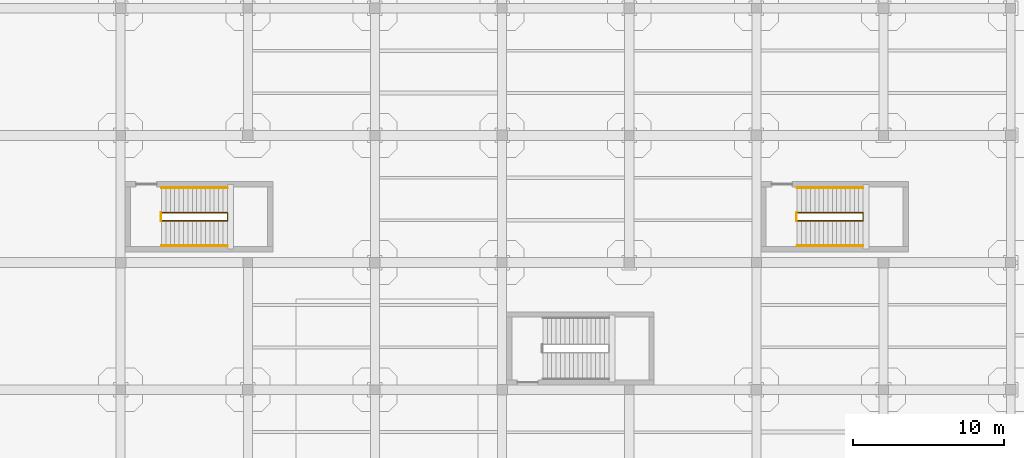
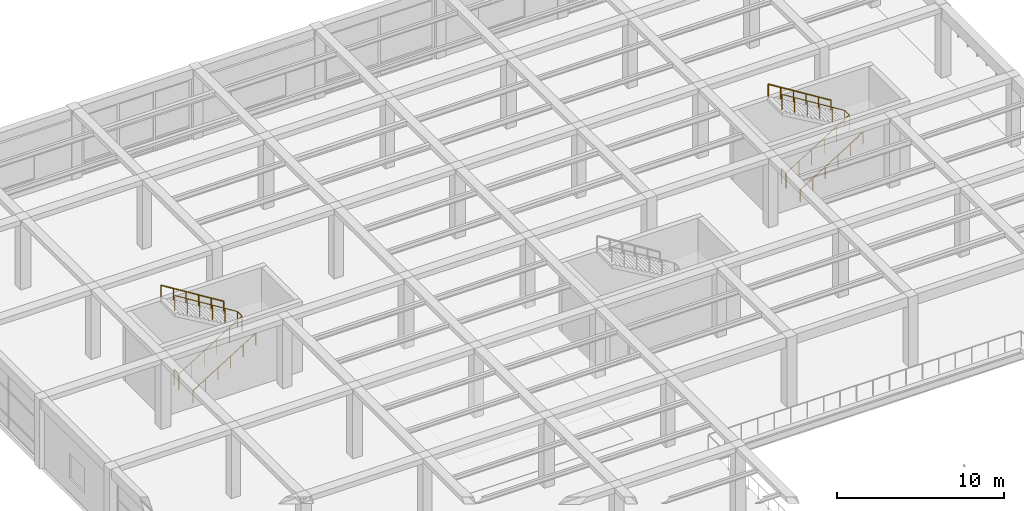
# One storey, part 89 of 95: 8 railings.
"""IFC4 building model written with IfcOpenShell, lengths in metres."""

from ifc_helpers import new_model, si_unit, direction, frame, origin, origin_2d, place, context, subcontext, project, spatial, circle, extrude, material, type_object, element, save


model = new_model("IFC4")

# Units and contexts
model_context = context("Model", 3, precision=1e-05, world=origin(), true_north=direction((0.0, 1.0)))
body_context = subcontext(model_context, "Body", "Model", "MODEL_VIEW")
ifc_project = project(units=[si_unit("LENGTHUNIT", "METRE"), si_unit("AREAUNIT", "SQUARE_METRE"), si_unit("VOLUMEUNIT", "CUBIC_METRE"), si_unit("PLANEANGLEUNIT", "RADIAN"), si_unit("MASSUNIT", "GRAM", prefix="KILO")], contexts=[model_context])

# Site, building, storey
site_placement = place(None, origin())
site = spatial("IfcSite", under=ifc_project, at=site_placement, CompositionType="ELEMENT")
building_placement = place(site_placement, origin())
building = spatial("IfcBuilding", under=site, at=building_placement, Name="Almacenes y Pasaje Nevantli", CompositionType="ELEMENT")
storey_placement = place(building_placement, frame((0.0, 0.0, 11.39990234375)))
storey = spatial("IfcBuildingStorey", under=building, at=storey_placement, Name="L03", CompositionType="ELEMENT", Elevation=11.39990234375)

# Railings
ifc_material_1 = material(Name="Brushed Stainless Steel and Tempered Safety Glass", Category="steel")
railing_type_1 = type_object("IfcRailingType", Name="RL-GUARD-1100", PredefinedType="BALUSTRADE", material=ifc_material_1)
railing_1_placement = place(storey_placement, frame((11.10009765625, 95.159912109375, 0.0)))
element("IfcRailing", 1, at=railing_1_placement, inside=storey, type_object=railing_type_1, Name="L03 Stair ST-03 Inner Well Guard Balustrade", PredefinedType="BALUSTRADE", context=body_context, shape_type="SweptSolid", body=[
    extrude(circle(Radius=0.02392578125, at=origin_2d()), frame((0.025390625, 0.0, 1.1416015625), z_axis=(0.849615114927, 0.0, 0.52740322002), x_axis=(0.0, 1.0, 0.0)), (0.0, 0.0, 1.0), 5.059814453125),
    extrude(circle(Radius=0.02392578125, at=origin_2d()), frame((4.349853515625, 0.030029296875, 3.826171875), z_axis=(0.0, 1.0, 0.0), x_axis=(-1.0, 0.0, 0.0)), (0.0, 0.0, 1.0), 0.469970703125),
    extrude(circle(Radius=0.02392578125, at=origin_2d()), frame((4.324462890625, 0.530029296875, 3.841796875), z_axis=(-0.849636482215, 0.0, 0.527368797038), x_axis=(0.0, -1.0, 0.0)), (0.0, 0.0, 1.0), 5.0595703125),
    extrude(circle(Radius=0.02099609375, at=origin_2d()), origin(), (0.0, 0.0, 1.0), 1.096923828125),
    extrude(circle(Radius=0.02099609375, at=origin_2d()), frame((0.869873046875, 0.0, 0.5400390625)), (0.0, 0.0, 1.0), 1.096923828125),
    extrude(circle(Radius=0.02099609375, at=origin_2d()), frame((1.739990234375, 0.0, 1.080078125)), (0.0, 0.0, 1.0), 1.096923828125),
    extrude(circle(Radius=0.02099609375, at=origin_2d()), frame((2.60986328125, 0.0, 1.6201171875)), (0.0, 0.0, 1.0), 1.096923828125),
    extrude(circle(Radius=0.02099609375, at=origin_2d()), frame((3.47998046875, 0.0, 2.16015625)), (0.0, 0.0, 1.0), 1.096923828125),
    extrude(circle(Radius=0.02099609375, at=origin_2d()), frame((4.349853515625, 0.0, 2.7001953125)), (0.0, 0.0, 1.0), 1.096923828125),
    extrude(circle(Radius=0.02099609375, at=origin_2d()), frame((4.349853515625, 0.530029296875, 2.7001953125)), (0.0, 0.0, 1.0), 1.096923828125),
    extrude(circle(Radius=0.02099609375, at=origin_2d()), frame((3.47998046875, 0.530029296875, 3.240234375)), (0.0, 0.0, 1.0), 1.096923828125),
    extrude(circle(Radius=0.02099609375, at=origin_2d()), frame((2.60986328125, 0.530029296875, 3.7802734375)), (0.0, 0.0, 1.0), 1.096923828125),
    extrude(circle(Radius=0.02099609375, at=origin_2d()), frame((1.739990234375, 0.530029296875, 4.320068359375)), (0.0, 0.0, 1.0), 1.096923828125),
    extrude(circle(Radius=0.02099609375, at=origin_2d()), frame((0.869873046875, 0.530029296875, 4.860107421875)), (0.0, 0.0, 1.0), 1.096923828125),
    extrude(circle(Radius=0.02099609375, at=origin_2d()), frame((0.0, 0.530029296875, 5.400146484375)), (0.0, 0.0, 1.0), 1.096923828125),
])
railing_2_placement = place(storey_placement, frame((11.06005859375, 95.159912109375, 0.0)))
element("IfcRailing", 2, at=railing_2_placement, inside=storey, type_object=railing_type_1, Name="L03 Stair ST-03 Landing Well Slot Guard", PredefinedType="BALUSTRADE", context=body_context, shape_type="SweptSolid", body=[
    extrude(circle(Radius=0.02392578125, at=origin_2d()), frame((0.0, 0.030029296875, 1.1259765625), z_axis=(0.0, 1.0, 0.0), x_axis=(-1.0, 0.0, 0.0)), (0.0, 0.0, 1.0), 0.469970703125),
    extrude(circle(Radius=0.02099609375, at=origin_2d()), origin(), (0.0, 0.0, 1.0), 1.096923828125),
    extrude(circle(Radius=0.02099609375, at=origin_2d()), frame((0.0, 0.530029296875, 0.0)), (0.0, 0.0, 1.0), 1.096923828125),
])
railing_3_placement = place(storey_placement, frame((53.10009765625, 95.159912109375, 0.0)))
element("IfcRailing", 3, at=railing_3_placement, inside=storey, type_object=railing_type_1, Name="L03 Stair ST-05 Inner Well Guard Balustrade", PredefinedType="BALUSTRADE", context=body_context, shape_type="SweptSolid", body=[
    extrude(circle(Radius=0.02392578125, at=origin_2d()), frame((0.025390625, 0.0, 1.1416015625), z_axis=(0.849615114927, 0.0, 0.52740322002), x_axis=(0.0, 1.0, 0.0)), (0.0, 0.0, 1.0), 5.059814453125),
    extrude(circle(Radius=0.02392578125, at=origin_2d()), frame((4.349853515625, 0.030029296875, 3.826171875), z_axis=(0.0, 1.0, 0.0), x_axis=(-1.0, 0.0, 0.0)), (0.0, 0.0, 1.0), 0.469970703125),
    extrude(circle(Radius=0.02392578125, at=origin_2d()), frame((4.324462890625, 0.530029296875, 3.841796875), z_axis=(-0.849636482215, 0.0, 0.527368797038), x_axis=(0.0, -1.0, 0.0)), (0.0, 0.0, 1.0), 5.0595703125),
    extrude(circle(Radius=0.02099609375, at=origin_2d()), origin(), (0.0, 0.0, 1.0), 1.096923828125),
    extrude(circle(Radius=0.02099609375, at=origin_2d()), frame((0.869873046875, 0.0, 0.5400390625)), (0.0, 0.0, 1.0), 1.096923828125),
    extrude(circle(Radius=0.02099609375, at=origin_2d()), frame((1.739990234375, 0.0, 1.080078125)), (0.0, 0.0, 1.0), 1.096923828125),
    extrude(circle(Radius=0.02099609375, at=origin_2d()), frame((2.60986328125, 0.0, 1.6201171875)), (0.0, 0.0, 1.0), 1.096923828125),
    extrude(circle(Radius=0.02099609375, at=origin_2d()), frame((3.47998046875, 0.0, 2.16015625)), (0.0, 0.0, 1.0), 1.096923828125),
    extrude(circle(Radius=0.02099609375, at=origin_2d()), frame((4.349853515625, 0.0, 2.7001953125)), (0.0, 0.0, 1.0), 1.096923828125),
    extrude(circle(Radius=0.02099609375, at=origin_2d()), frame((4.349853515625, 0.530029296875, 2.7001953125)), (0.0, 0.0, 1.0), 1.096923828125),
    extrude(circle(Radius=0.02099609375, at=origin_2d()), frame((3.47998046875, 0.530029296875, 3.240234375)), (0.0, 0.0, 1.0), 1.096923828125),
    extrude(circle(Radius=0.02099609375, at=origin_2d()), frame((2.60986328125, 0.530029296875, 3.7802734375)), (0.0, 0.0, 1.0), 1.096923828125),
    extrude(circle(Radius=0.02099609375, at=origin_2d()), frame((1.739990234375, 0.530029296875, 4.320068359375)), (0.0, 0.0, 1.0), 1.096923828125),
    extrude(circle(Radius=0.02099609375, at=origin_2d()), frame((0.869873046875, 0.530029296875, 4.860107421875)), (0.0, 0.0, 1.0), 1.096923828125),
    extrude(circle(Radius=0.02099609375, at=origin_2d()), frame((0.0, 0.530029296875, 5.400146484375)), (0.0, 0.0, 1.0), 1.096923828125),
])
railing_4_placement = place(storey_placement, frame((53.06005859375, 95.159912109375, 0.0)))
element("IfcRailing", 4, at=railing_4_placement, inside=storey, type_object=railing_type_1, Name="L03 Stair ST-05 Landing Well Slot Guard", PredefinedType="BALUSTRADE", context=body_context, shape_type="SweptSolid", body=[
    extrude(circle(Radius=0.02392578125, at=origin_2d()), frame((0.0, 0.030029296875, 1.1259765625), z_axis=(0.0, 1.0, 0.0), x_axis=(-1.0, 0.0, 0.0)), (0.0, 0.0, 1.0), 0.469970703125),
    extrude(circle(Radius=0.02099609375, at=origin_2d()), origin(), (0.0, 0.0, 1.0), 1.096923828125),
    extrude(circle(Radius=0.02099609375, at=origin_2d()), frame((0.0, 0.530029296875, 0.0)), (0.0, 0.0, 1.0), 1.096923828125),
])
ifc_material_2 = material(Name="Brushed Stainless Steel Tube", Category="steel")
railing_type_2 = type_object("IfcRailingType", Name="RL-HANDRAIL-900", PredefinedType="HANDRAIL", material=ifc_material_2)
railing_5_placement = place(storey_placement, frame((11.10009765625, 93.510009765625, 0.0)))
element("IfcRailing", 5, at=railing_5_placement, inside=storey, type_object=railing_type_2, Name="L03 Stair ST-03 Lower Flight Handrail", PredefinedType="HANDRAIL", context=body_context, shape_type="SweptSolid", body=[
    extrude(circle(Radius=0.02392578125, at=origin_2d()), frame((0.025390625, 0.0, 0.8916015625), z_axis=(0.849615114927, 0.0, 0.52740322002), x_axis=(0.0, 1.0, 0.0)), (0.0, 0.0, 1.0), 5.059814453125),
    extrude(circle(Radius=0.02099609375, at=origin_2d()), origin(), (0.0, 0.0, 1.0), 0.846923828125),
    extrude(circle(Radius=0.02099609375, at=origin_2d()), frame((0.869873046875, 0.0, 0.5400390625)), (0.0, 0.0, 1.0), 0.846923828125),
    extrude(circle(Radius=0.02099609375, at=origin_2d()), frame((1.739990234375, 0.0, 1.080078125)), (0.0, 0.0, 1.0), 0.846923828125),
    extrude(circle(Radius=0.02099609375, at=origin_2d()), frame((2.60986328125, 0.0, 1.6201171875)), (0.0, 0.0, 1.0), 0.846923828125),
    extrude(circle(Radius=0.02099609375, at=origin_2d()), frame((3.47998046875, 0.0, 2.16015625)), (0.0, 0.0, 1.0), 0.846923828125),
    extrude(circle(Radius=0.02099609375, at=origin_2d()), frame((4.349853515625, 0.0, 2.7001953125)), (0.0, 0.0, 1.0), 0.846923828125),
])
railing_6_placement = place(storey_placement, frame((15.449951171875, 97.340087890625, 2.7001953125)))
element("IfcRailing", 6, at=railing_6_placement, inside=storey, type_object=railing_type_2, Name="L03 Stair ST-03 Upper Flight Handrail", PredefinedType="HANDRAIL", context=body_context, shape_type="SweptSolid", body=[
    extrude(circle(Radius=0.02392578125, at=origin_2d()), frame((-0.025390625, 0.0, 0.8916015625), z_axis=(-0.849636482215, 0.0, 0.527368797038), x_axis=(0.0, -1.0, 0.0)), (0.0, 0.0, 1.0), 5.0595703125),
    extrude(circle(Radius=0.02099609375, at=origin_2d()), origin(), (0.0, 0.0, 1.0), 0.846923828125),
    extrude(circle(Radius=0.02099609375, at=origin_2d()), frame((-0.869873046875, 0.0, 0.5400390625)), (0.0, 0.0, 1.0), 0.846923828125),
    extrude(circle(Radius=0.02099609375, at=origin_2d()), frame((-1.739990234375, 0.0, 1.080078125)), (0.0, 0.0, 1.0), 0.846923828125),
    extrude(circle(Radius=0.02099609375, at=origin_2d()), frame((-2.60986328125, 0.0, 1.619873046875)), (0.0, 0.0, 1.0), 0.846923828125),
    extrude(circle(Radius=0.02099609375, at=origin_2d()), frame((-3.47998046875, 0.0, 2.159912109375)), (0.0, 0.0, 1.0), 0.846923828125),
    extrude(circle(Radius=0.02099609375, at=origin_2d()), frame((-4.349853515625, 0.0, 2.699951171875)), (0.0, 0.0, 1.0), 0.846923828125),
])
railing_7_placement = place(storey_placement, frame((53.10009765625, 93.510009765625, 0.0)))
element("IfcRailing", 7, at=railing_7_placement, inside=storey, type_object=railing_type_2, Name="L03 Stair ST-05 Lower Flight Handrail", PredefinedType="HANDRAIL", context=body_context, shape_type="SweptSolid", body=[
    extrude(circle(Radius=0.02392578125, at=origin_2d()), frame((0.025390625, 0.0, 0.8916015625), z_axis=(0.849615114927, 0.0, 0.52740322002), x_axis=(0.0, 1.0, 0.0)), (0.0, 0.0, 1.0), 5.059814453125),
    extrude(circle(Radius=0.02099609375, at=origin_2d()), origin(), (0.0, 0.0, 1.0), 0.846923828125),
    extrude(circle(Radius=0.02099609375, at=origin_2d()), frame((0.869873046875, 0.0, 0.5400390625)), (0.0, 0.0, 1.0), 0.846923828125),
    extrude(circle(Radius=0.02099609375, at=origin_2d()), frame((1.739990234375, 0.0, 1.080078125)), (0.0, 0.0, 1.0), 0.846923828125),
    extrude(circle(Radius=0.02099609375, at=origin_2d()), frame((2.60986328125, 0.0, 1.6201171875)), (0.0, 0.0, 1.0), 0.846923828125),
    extrude(circle(Radius=0.02099609375, at=origin_2d()), frame((3.47998046875, 0.0, 2.16015625)), (0.0, 0.0, 1.0), 0.846923828125),
    extrude(circle(Radius=0.02099609375, at=origin_2d()), frame((4.349853515625, 0.0, 2.7001953125)), (0.0, 0.0, 1.0), 0.846923828125),
])
railing_8_placement = place(storey_placement, frame((57.449951171875, 97.340087890625, 2.7001953125)))
element("IfcRailing", 8, at=railing_8_placement, inside=storey, type_object=railing_type_2, Name="L03 Stair ST-05 Upper Flight Handrail", PredefinedType="HANDRAIL", context=body_context, shape_type="SweptSolid", body=[
    extrude(circle(Radius=0.02392578125, at=origin_2d()), frame((-0.025390625, 0.0, 0.8916015625), z_axis=(-0.849636482215, 0.0, 0.527368797038), x_axis=(0.0, -1.0, 0.0)), (0.0, 0.0, 1.0), 5.0595703125),
    extrude(circle(Radius=0.02099609375, at=origin_2d()), origin(), (0.0, 0.0, 1.0), 0.846923828125),
    extrude(circle(Radius=0.02099609375, at=origin_2d()), frame((-0.869873046875, 0.0, 0.5400390625)), (0.0, 0.0, 1.0), 0.846923828125),
    extrude(circle(Radius=0.02099609375, at=origin_2d()), frame((-1.739990234375, 0.0, 1.080078125)), (0.0, 0.0, 1.0), 0.846923828125),
    extrude(circle(Radius=0.02099609375, at=origin_2d()), frame((-2.60986328125, 0.0, 1.619873046875)), (0.0, 0.0, 1.0), 0.846923828125),
    extrude(circle(Radius=0.02099609375, at=origin_2d()), frame((-3.47998046875, 0.0, 2.159912109375)), (0.0, 0.0, 1.0), 0.846923828125),
    extrude(circle(Radius=0.02099609375, at=origin_2d()), frame((-4.349853515625, 0.0, 2.699951171875)), (0.0, 0.0, 1.0), 0.846923828125),
])

save(model, "model.ifc")
